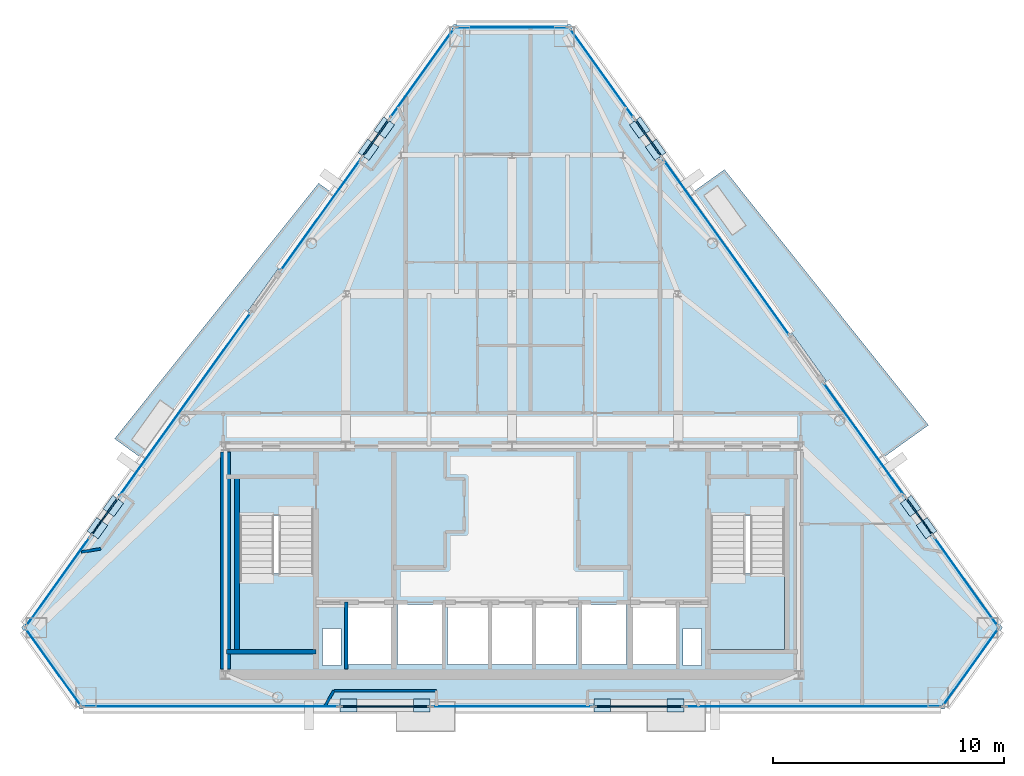
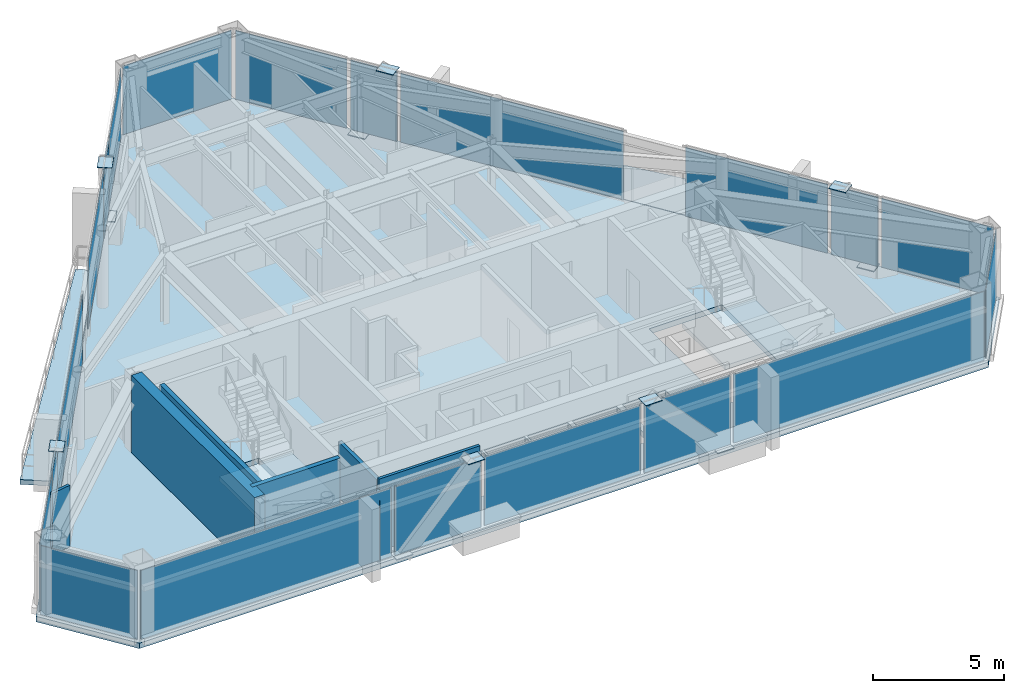
# One storey, part 7 of 12: 32 plates, 7 walls, 5 slabs, 22 elements without a shape of their own.
"""IFC4 building model written with IfcOpenShell, lengths in metres."""

from ifc_helpers import new_model, si_unit, direction, frame, frame_2d, origin, origin_2d, place, context, subcontext, project, spatial, polyline, rectangle, outline, extrude, source, transform, mapped, material, layer, layer_set, type_object, type_shapes, element, aggregate, save


model = new_model("IFC4")

# Units and contexts
model_context = context("Model", 3, precision=1e-05, world=origin(), true_north=direction((0.0, 1.0)))
body_context = subcontext(model_context, "Body", "Model", "MODEL_VIEW")
ifc_project = project(units=[si_unit("LENGTHUNIT", "METRE"), si_unit("AREAUNIT", "SQUARE_METRE"), si_unit("VOLUMEUNIT", "CUBIC_METRE"), si_unit("PLANEANGLEUNIT", "RADIAN"), si_unit("MASSUNIT", "GRAM", prefix="KILO")], contexts=[model_context])

# Site, building, storey
site_placement = place(None, origin())
site = spatial("IfcSite", under=ifc_project, at=site_placement, CompositionType="ELEMENT")
building_placement = place(site_placement, origin())
building = spatial("IfcBuilding", under=site, at=building_placement, Name="Talgorran Terracotta Tower", CompositionType="ELEMENT")
storey_placement = place(building_placement, frame((0.0, 0.0, 256.199951171875)))
storey = spatial("IfcBuildingStorey", under=building, at=storey_placement, Name="L67", CompositionType="ELEMENT", Elevation=256.199951171875)

# Plates
ifc_material_1 = material(Name="Steel Grade 350 (350L0)", Category="steel")
ifc_layer_1 = layer(ifc_material_1, 0.031982421875, Name="PL_CAP_MN07")
ifc_layer_set_1 = layer_set([ifc_layer_1], Name="Steel Grade 350 (350L0)")
plate_type_1 = type_object("IfcPlateType", Name="PL_CAP_MN07", PredefinedType="USERDEFINED", material=ifc_layer_set_1)
for number, where, z_axis, x_axis, name in (
    (1, (-7.074462890625, -15.42333984375, -0.005859375), (0.0, 0.0, 1.0), (1.0, 0.0, 0.0), "L67 Diagonal Frame End Cap SWF Bot"),
    (2, (-3.90966796875, -15.42333984375, 3.31884765625), (0.0, 0.0, 1.0), (1.0, 0.0, 0.0), "L67 Diagonal Frame End Cap SWF Top"),
    (3, (7.074462890625, -15.42333984375, -0.005859375), (0.0, 0.0, 1.0), (-1.0, 0.0, 0.0), "L67 Diagonal Frame End Cap SEF Bot"),
    (4, (3.90966796875, -15.42333984375, 3.31884765625), (0.0, 0.0, 1.0), (-1.0, 0.0, 0.0), "L67 Diagonal Frame End Cap SEF Top"),
    (5, (17.94287109375, -7.748291015625, -0.005859375), (0.0, 0.0, 1.0), (-0.582264874145, 0.812999149039, 0.0), "L67 Diagonal Frame End Cap NEL Bot"),
    (6, (17.255126953125, -6.7880859375, 3.31884765625), (0.0, 0.0, 1.0), (-0.582264874145, 0.812999149039, 0.0), "L67 Diagonal Frame End Cap NEL Top"),
    (7, (5.5283203125, 9.58837890625, -0.005859375), (0.0, 0.0, 1.0), (0.582264874145, -0.812999149039, 0.0), "L67 Diagonal Frame End Cap NEU Bot"),
    (8, (6.2158203125, 8.628173828125, 3.31884765625), (0.0, 0.0, 1.0), (0.582264874145, -0.812999149039, 0.0), "L67 Diagonal Frame End Cap NEU Top"),
    (9, (-5.5283203125, 9.58837890625, -0.005859375), (0.0, 0.0, 1.0), (-0.582264874145, -0.812999149039, 0.0), "L67 Diagonal Frame End Cap NWU Bot"),
    (10, (-6.2158203125, 8.628173828125, 3.31884765625), (0.0, 0.0, 1.0), (-0.582264874145, -0.812999149039, 0.0), "L67 Diagonal Frame End Cap NWU Top"),
    (11, (-17.94287109375, -7.748291015625, -0.005859375), (0.0, 0.0, 1.0), (0.582264874145, 0.812999149039, 0.0), "L67 Diagonal Frame End Cap NWL Bot"),
    (12, (-17.255126953125, -6.7880859375, 3.31884765625), (0.0, 0.0, 1.0), (0.582264874145, 0.812999149039, 0.0), "L67 Diagonal Frame End Cap NWL Top"),
):
    element("IfcPlate", number, at=place(storey_placement, frame(where, z_axis=z_axis, x_axis=x_axis)), inside=storey, type_object=plate_type_1, Name=name, ObjectType="CAP PLATE", PredefinedType="USERDEFINED", context=body_context, shape_type="SweptSolid", body=[
        extrude(rectangle(XDim=0.719970703125, YDim=0.580078125, at=origin_2d()), origin(), (0.0, 0.0, 1.0), 0.031982421875),
    ])

# Slabs
ifc_material_2 = material(Name="Concrete C40/50", Category="concrete")
ifc_layer_2 = layer(ifc_material_2, 0.219970703125, Name="SL_BALCONY_220")
ifc_layer_set_2 = layer_set([ifc_layer_2], Name="Concrete C40/50")
slab_type_1 = type_object("IfcSlabType", Name="SL_BALCONY_220", PredefinedType="FLOOR", material=ifc_layer_set_2)
slab_1_placement = place(storey_placement, frame((0.0, 0.0, -0.219970703125)))
element("IfcSlab", 13, at=slab_1_placement, inside=storey, type_object=slab_type_1, Name="L67 Outdoor Wave Balcony BAL-NE", PredefinedType="FLOOR", context=body_context, shape_type="SweptSolid", body=[
    extrude(outline(polyline([(7.773193359375, 6.753662109375), (16.001220703125, -4.736083984375), (18.0224609375, -3.288818359375), (9.192626953125, 7.77001953125), (7.773193359375, 6.753662109375)])), origin(), (0.0, 0.0, 1.0), 0.219970703125),
])
slab_2_placement = place(storey_placement, frame((0.0, 0.0, -0.219970703125)))
element("IfcSlab", 14, at=slab_2_placement, inside=storey, type_object=slab_type_1, Name="L67 Outdoor Wave Balcony BAL-NW", PredefinedType="FLOOR", context=body_context, shape_type="SweptSolid", body=[
    extrude(outline(polyline([(-16.001220703125, -4.736083984375), (-7.773193359375, 6.753662109375), (-8.369873046875, 7.180908203125), (-17.19970703125, -3.8779296875), (-16.001220703125, -4.736083984375)])), origin(), (0.0, 0.0, 1.0), 0.219970703125),
])

# Stair, slab
stair_type = type_object("IfcStairType", Name="ST_FIRE_SCISSOR", PredefinedType="HALF_TURN_STAIR", material=ifc_material_2)
stair_1_placement = place(storey_placement, origin())
stair_1 = element("IfcStair", 15, at=stair_1_placement, inside=storey, type_object=stair_type, Name="L67 West Protected Fire Stair ST-01", PredefinedType="HALF_TURN_STAIR")
ifc_layer_3 = layer(ifc_material_2, 0.199951171875, Name="SL_LANDING_200")
ifc_layer_set_3 = layer_set([ifc_layer_3], Name="Concrete C40/50")
slab_type_2 = type_object("IfcSlabType", Name="SL_LANDING_200", PredefinedType="LANDING", material=ifc_layer_set_3)
slab_3_placement = place(storey_placement, frame((0.0, 0.0, 1.60009765625)))
slab_3 = element("IfcSlab", 16, at=slab_3_placement, type_object=slab_type_2, Name="ST-01 landing 1", PredefinedType="LANDING", context=body_context, shape_type="SweptSolid", body=[
    extrude(outline(polyline([(-11.800048828125, -9.719970703125), (-11.800048828125, -13.0), (-8.60009765625, -13.0), (-8.60009765625, -9.719970703125), (-11.800048828125, -9.719970703125)])), origin(), (0.0, 0.0, 1.0), 0.199951171875),
])
aggregate(stair_1, [slab_3])

stair_2_placement = place(storey_placement, origin())
stair_2 = element("IfcStair", 17, at=stair_2_placement, inside=storey, type_object=stair_type, Name="L67 East Protected Fire Stair ST-02", PredefinedType="HALF_TURN_STAIR")
slab_4_placement = place(storey_placement, frame((0.0, 0.0, 1.60009765625)))
slab_4 = element("IfcSlab", 18, at=slab_4_placement, type_object=slab_type_2, Name="ST-02 landing 1", PredefinedType="LANDING", context=body_context, shape_type="SweptSolid", body=[
    extrude(outline(polyline([(8.60009765625, -9.719970703125), (8.60009765625, -13.0), (11.800048828125, -13.0), (11.800048828125, -9.719970703125), (8.60009765625, -9.719970703125)])), origin(), (0.0, 0.0, 1.0), 0.199951171875),
])
aggregate(stair_2, [slab_4])

# Slab
ifc_layer_4 = layer(ifc_material_2, 0.2548828125, Name="SL_TOWER_235")
ifc_layer_set_4 = layer_set([ifc_layer_4], Name="Concrete C40/50")
slab_type_3 = type_object("IfcSlabType", Name="SL_TOWER_235", PredefinedType="FLOOR", material=ifc_layer_set_4)
slab_5_placement = place(storey_placement, frame((0.0, 0.0, -0.2548828125)))
element("IfcSlab", 19, at=slab_5_placement, inside=storey, type_object=slab_type_3, Name="Storey L67 Structural Floor Slab", PredefinedType="FLOOR", context=body_context, shape_type="SweptSolid", body=[
    extrude(outline(polyline([(-21.224609375, -12.056640625), (-18.69921875, -15.583251953125), (18.69921875, -15.583251953125), (21.224609375, -12.056640625), (2.525390625, 14.056640625), (-2.525390625, 14.056640625), (-21.224609375, -12.056640625)]), holes=[polyline([(-11.800048828125, -7.199951171875), (-11.800048828125, -13.0), (-8.60009765625, -13.0), (-8.60009765625, -7.199951171875), (-11.800048828125, -7.199951171875)]), polyline([(8.60009765625, -7.199951171875), (8.60009765625, -13.0), (11.800048828125, -13.0), (11.800048828125, -7.199951171875), (8.60009765625, -7.199951171875)]), polyline([(-7.10009765625, -13.64990234375), (-5.199951171875, -13.64990234375), (-5.199951171875, -11.050048828125), (-7.10009765625, -11.050048828125), (-7.10009765625, -13.64990234375)]), polyline([(5.199951171875, -13.64990234375), (7.10009765625, -13.64990234375), (7.10009765625, -11.050048828125), (5.199951171875, -11.050048828125), (5.199951171875, -13.64990234375)]), polyline([(3.0, -13.64990234375), (4.949951171875, -13.64990234375), (4.949951171875, -11.050048828125), (3.0, -11.050048828125), (3.0, -13.64990234375)]), polyline([(-4.949951171875, -13.64990234375), (-3.0, -13.64990234375), (-3.0, -11.050048828125), (-4.949951171875, -11.050048828125), (-4.949951171875, -13.64990234375)]), polyline([(-2.800048828125, -13.64990234375), (-1.0, -13.64990234375), (-1.0, -11.050048828125), (-2.800048828125, -11.050048828125), (-2.800048828125, -13.64990234375)]), polyline([(-0.89990234375, -13.64990234375), (0.89990234375, -13.64990234375), (0.89990234375, -11.050048828125), (-0.89990234375, -11.050048828125), (-0.89990234375, -13.64990234375)]), polyline([(1.0, -13.64990234375), (2.800048828125, -13.64990234375), (2.800048828125, -11.050048828125), (1.0, -11.050048828125), (1.0, -13.64990234375)]), polyline([(-8.199951171875, -13.699951171875), (-7.39990234375, -13.699951171875), (-7.39990234375, -12.10009765625), (-8.199951171875, -12.10009765625), (-8.199951171875, -13.699951171875)]), polyline([(7.39990234375, -13.699951171875), (8.199951171875, -13.699951171875), (8.199951171875, -12.10009765625), (7.39990234375, -12.10009765625), (7.39990234375, -13.699951171875)])]), origin(), (0.0, 0.0, 1.0), 0.2548828125),
])

# Curtain wall, plate
ifc_material_3 = material(Name="High-Wind Unitised Glazing", Category="glass")
ifc_layer_5 = layer(ifc_material_3, 0.2099609375, Name="CW_SYS3_RES_HIGH")
ifc_layer_set_5 = layer_set([ifc_layer_5], Name="High-Wind Unitised Glazing")
curtain_wall_type = type_object("IfcCurtainWallType", Name="CW_SYS3_RES_HIGH", PredefinedType="NOTDEFINED", material=ifc_layer_set_5)
curtain_wall_1_placement = place(storey_placement, origin())
curtain_wall_1 = element("IfcCurtainWall", 20, at=curtain_wall_1_placement, inside=storey, type_object=curtain_wall_type, Name="CW-L67-F0", PredefinedType="NOTDEFINED")
ifc_material_4 = material(Name="High-Wind Acoustic Vision Glass", Category="glass")
ifc_layer_6 = layer(ifc_material_4, 0.031982421875, Name="PLT_VISION_32")
ifc_layer_set_6 = layer_set([ifc_layer_6], Name="High-Wind Acoustic Vision Glass")
plate_type_2 = type_object("IfcPlateType", Name="PLT_VISION_32", PredefinedType="CURTAIN_PANEL", material=ifc_layer_set_6)
shared_shape_1 = source(origin(), body_context, "Body", "SweptSolid", [
    extrude(rectangle(XDim=4.050048828125, YDim=0.031982421875, at=origin_2d()), origin(), (0.0, 0.0, 1.0), 3.205078125),
])
plate_1_placement = place(storey_placement, frame((-19.857421875, -13.760009765625, 0.070068359375), z_axis=(0.0, 0.0, 1.0), x_axis=(0.582219838862, -0.813031401137, 0.0)))
plate_1 = element("IfcPlate", 21, at=plate_1_placement, type_object=plate_type_2, Name="CW-L67-0 panel 1.1", PredefinedType="CURTAIN_PANEL", context=body_context, shape_type="MappedRepresentation", body=[
    mapped(shared_shape_1, transform((0.0, 0.0, 0.0), scale=1.0)),
])
aggregate(curtain_wall_1, [plate_1])

curtain_wall_2_placement = place(storey_placement, origin())
curtain_wall_2 = element("IfcCurtainWall", 22, at=curtain_wall_2_placement, inside=storey, type_object=curtain_wall_type, Name="CW-L67-F2", PredefinedType="NOTDEFINED")
plate_2_placement = place(storey_placement, frame((19.857421875, -13.760009765625, 0.070068359375), z_axis=(0.0, 0.0, 1.0), x_axis=(0.582219838862, 0.813031401137, 0.0)))
plate_2 = element("IfcPlate", 23, at=plate_2_placement, type_object=plate_type_2, Name="CW-L67-2 panel 1.1", PredefinedType="CURTAIN_PANEL", context=body_context, shape_type="MappedRepresentation", body=[
    mapped(shared_shape_1, transform((0.0, 0.0, 0.0), scale=1.0)),
])
aggregate(curtain_wall_2, [plate_2])

curtain_wall_3_placement = place(storey_placement, origin())
curtain_wall_3 = element("IfcCurtainWall", 24, at=curtain_wall_3_placement, inside=storey, type_object=curtain_wall_type, Name="CW-L67-F4", PredefinedType="NOTDEFINED")
shared_shape_2 = source(origin(), body_context, "Body", "SweptSolid", [
    extrude(rectangle(XDim=4.787109375, YDim=0.031982421875, at=origin_2d()), origin(), (0.0, 0.0, 1.0), 3.205078125),
])
plate_3_placement = place(storey_placement, frame((0.0, 13.936767578125, 0.070068359375), z_axis=(0.0, 0.0, 1.0), x_axis=(-1.0, 0.0, 0.0)))
plate_3 = element("IfcPlate", 25, at=plate_3_placement, type_object=plate_type_2, Name="CW-L67-4 panel 1.1", PredefinedType="CURTAIN_PANEL", context=body_context, shape_type="MappedRepresentation", body=[
    mapped(shared_shape_2, transform((0.0, 0.0, 0.0), scale=1.0)),
])
aggregate(curtain_wall_3, [plate_3])

curtain_wall_4_placement = place(storey_placement, origin())
curtain_wall_4 = element("IfcCurtainWall", 26, at=curtain_wall_4_placement, inside=storey, type_object=curtain_wall_type, Name="CW-L67-F1", PredefinedType="NOTDEFINED")
shared_shape_3 = source(origin(), body_context, "Body", "SweptSolid", [
    extrude(rectangle(XDim=11.026611328125, YDim=0.031982421875, at=origin_2d()), origin(), (0.0, 0.0, 1.0), 3.205078125),
])
plate_4_placement = place(storey_placement, frame((-13.05419921875, -15.46337890625, 0.070068359375), z_axis=(0.0, 0.0, 1.0), x_axis=(1.0, 0.0, 0.0)))
plate_4 = element("IfcPlate", 27, at=plate_4_placement, type_object=plate_type_2, Name="CW-L67-1 panel 1.1", PredefinedType="CURTAIN_PANEL", context=body_context, shape_type="MappedRepresentation", body=[
    mapped(shared_shape_3, transform((0.0, 0.0, 0.0), scale=1.0)),
])
aggregate(curtain_wall_4, [plate_4])

curtain_wall_5_placement = place(storey_placement, origin())
curtain_wall_5 = element("IfcCurtainWall", 28, at=curtain_wall_5_placement, inside=storey, type_object=curtain_wall_type, Name="CW-L67-F1E", PredefinedType="NOTDEFINED")
plate_5_placement = place(storey_placement, frame((13.05419921875, -15.46337890625, 0.070068359375), z_axis=(0.0, 0.0, 1.0), x_axis=(1.0, 0.0, 0.0)))
plate_5 = element("IfcPlate", 29, at=plate_5_placement, type_object=plate_type_2, Name="CW-L67-1E panel 1.1", PredefinedType="CURTAIN_PANEL", context=body_context, shape_type="MappedRepresentation", body=[
    mapped(shared_shape_3, transform((0.0, 0.0, 0.0), scale=1.0)),
])
aggregate(curtain_wall_5, [plate_5])

curtain_wall_6_placement = place(storey_placement, origin())
curtain_wall_6 = element("IfcCurtainWall", 30, at=curtain_wall_6_placement, inside=storey, type_object=curtain_wall_type, Name="CW-L67-F1B", PredefinedType="NOTDEFINED")
ifc_material_5 = material(Name="Terracotta Insulated Spandrel", Category="masonry")
ifc_layer_7 = layer(ifc_material_5, 0.06494140625, Name="PLT_SPANDREL_TERRA")
ifc_layer_set_7 = layer_set([ifc_layer_7], Name="Terracotta Insulated Spandrel")
plate_type_3 = type_object("IfcPlateType", Name="PLT_SPANDREL_TERRA", PredefinedType="SHEET", material=ifc_layer_set_7)
shared_shape_4 = source(origin(), body_context, "Body", "SweptSolid", [
    extrude(rectangle(XDim=3.797607421875, YDim=0.06494140625, at=origin_2d()), origin(), (0.0, 0.0, 1.0), 3.205078125),
])
plate_6_placement = place(storey_placement, frame((-5.491943359375, -15.46337890625, 0.070068359375), z_axis=(0.0, 0.0, 1.0), x_axis=(1.0, 0.0, 0.0)))
plate_6 = element("IfcPlate", 31, at=plate_6_placement, type_object=plate_type_3, Name="CW-L67-1B panel 1.1", PredefinedType="CURTAIN_PANEL", context=body_context, shape_type="MappedRepresentation", body=[
    mapped(shared_shape_4, transform((0.0, 0.0, 0.0), scale=1.0)),
])
aggregate(curtain_wall_6, [plate_6])

curtain_wall_7_placement = place(storey_placement, origin())
curtain_wall_7 = element("IfcCurtainWall", 32, at=curtain_wall_7_placement, inside=storey, type_object=curtain_wall_type, Name="CW-L67-F1D", PredefinedType="NOTDEFINED")
plate_7_placement = place(storey_placement, frame((5.491943359375, -15.46337890625, 0.070068359375), z_axis=(0.0, 0.0, 1.0), x_axis=(1.0, 0.0, 0.0)))
plate_7 = element("IfcPlate", 33, at=plate_7_placement, type_object=plate_type_3, Name="CW-L67-1D panel 1.1", PredefinedType="CURTAIN_PANEL", context=body_context, shape_type="MappedRepresentation", body=[
    mapped(shared_shape_4, transform((0.0, 0.0, 0.0), scale=1.0)),
])
aggregate(curtain_wall_7, [plate_7])

curtain_wall_8_placement = place(storey_placement, origin())
curtain_wall_8 = element("IfcCurtainWall", 34, at=curtain_wall_8_placement, inside=storey, type_object=curtain_wall_type, Name="CW-L67-F1C", PredefinedType="NOTDEFINED")
shared_shape_5 = source(origin(), body_context, "Body", "SweptSolid", [
    extrude(rectangle(XDim=6.886474609375, YDim=0.031982421875, at=origin_2d()), origin(), (0.0, 0.0, 1.0), 3.205078125),
])
plate_8_placement = place(storey_placement, frame((0.0, -15.46337890625, 0.070068359375), z_axis=(0.0, 0.0, 1.0), x_axis=(1.0, 0.0, 0.0)))
plate_8 = element("IfcPlate", 35, at=plate_8_placement, type_object=plate_type_2, Name="CW-L67-1C panel 1.1", PredefinedType="CURTAIN_PANEL", context=body_context, shape_type="MappedRepresentation", body=[
    mapped(shared_shape_5, transform((0.0, 0.0, 0.0), scale=1.0)),
])
aggregate(curtain_wall_8, [plate_8])

curtain_wall_9_placement = place(storey_placement, origin())
curtain_wall_9 = element("IfcCurtainWall", 36, at=curtain_wall_9_placement, inside=storey, type_object=curtain_wall_type, Name="CW-L67-F40", PredefinedType="NOTDEFINED")
shared_shape_6 = source(origin(), body_context, "Body", "SweptSolid", [
    extrude(rectangle(XDim=4.680908203125, YDim=0.031982421875, at=origin_2d()), origin(), (0.0, 0.0, 1.0), 3.205078125),
])
plate_9_placement = place(storey_placement, frame((19.650390625, -10.064453125, 0.070068359375), z_axis=(0.0, 0.0, 1.0), x_axis=(-0.582211011267, 0.813037722593, 0.0)))
plate_9 = element("IfcPlate", 37, at=plate_9_placement, type_object=plate_type_2, Name="CW-L67-40 panel 1.1", PredefinedType="CURTAIN_PANEL", context=body_context, shape_type="MappedRepresentation", body=[
    mapped(shared_shape_6, transform((0.0, 0.0, 0.0), scale=1.0)),
])
aggregate(curtain_wall_9, [plate_9])

curtain_wall_10_placement = place(storey_placement, origin())
curtain_wall_10 = element("IfcCurtainWall", 38, at=curtain_wall_10_placement, inside=storey, type_object=curtain_wall_type, Name="CW-L67-F61C", PredefinedType="NOTDEFINED")
plate_10_placement = place(storey_placement, frame((-19.650390625, -10.064453125, 0.070068359375), z_axis=(0.0, 0.0, 1.0), x_axis=(-0.582211011267, -0.813037722593, 0.0)))
plate_10 = element("IfcPlate", 39, at=plate_10_placement, type_object=plate_type_2, Name="CW-L67-61C panel 1.1", PredefinedType="CURTAIN_PANEL", context=body_context, shape_type="MappedRepresentation", body=[
    mapped(shared_shape_6, transform((0.0, 0.0, 0.0), scale=1.0)),
])
aggregate(curtain_wall_10, [plate_10])

curtain_wall_11_placement = place(storey_placement, origin())
curtain_wall_11 = element("IfcCurtainWall", 40, at=curtain_wall_11_placement, inside=storey, type_object=curtain_wall_type, Name="CW-L67-F40B", PredefinedType="NOTDEFINED")
shared_shape_7 = source(origin(), body_context, "Body", "SweptSolid", [
    extrude(rectangle(XDim=1.954345703125, YDim=0.06494140625, at=origin_2d()), origin(), (0.0, 0.0, 1.0), 3.205078125),
])
type_shapes(plate_type_3, [shared_shape_4, shared_shape_7])
plate_11_placement = place(storey_placement, frame((17.631591796875, -7.2451171875, 0.070068359375), z_axis=(0.0, 0.0, 1.0), x_axis=(-0.582222381125, 0.813029580592, 0.0)))
plate_11 = element("IfcPlate", 41, at=plate_11_placement, type_object=plate_type_3, Name="CW-L67-40B panel 1.1", PredefinedType="CURTAIN_PANEL", context=body_context, shape_type="MappedRepresentation", body=[
    mapped(shared_shape_7, transform((0.0, 0.0, 0.0), scale=1.0)),
])
aggregate(curtain_wall_11, [plate_11])

curtain_wall_12_placement = place(storey_placement, origin())
curtain_wall_12 = element("IfcCurtainWall", 42, at=curtain_wall_12_placement, inside=storey, type_object=curtain_wall_type, Name="CW-L67-F41B", PredefinedType="NOTDEFINED")
plate_12_placement = place(storey_placement, frame((5.904541015625, 9.131591796875, 0.070068359375), z_axis=(0.0, 0.0, 1.0), x_axis=(-0.582222381125, 0.813029580592, 0.0)))
plate_12 = element("IfcPlate", 43, at=plate_12_placement, type_object=plate_type_3, Name="CW-L67-41B panel 1.1", PredefinedType="CURTAIN_PANEL", context=body_context, shape_type="MappedRepresentation", body=[
    mapped(shared_shape_7, transform((0.0, 0.0, 0.0), scale=1.0)),
])
aggregate(curtain_wall_12, [plate_12])

curtain_wall_13_placement = place(storey_placement, origin())
curtain_wall_13 = element("IfcCurtainWall", 44, at=curtain_wall_13_placement, inside=storey, type_object=curtain_wall_type, Name="CW-L67-F60B", PredefinedType="NOTDEFINED")
plate_13_placement = place(storey_placement, frame((-5.904541015625, 9.131591796875, 0.070068359375), z_axis=(0.0, 0.0, 1.0), x_axis=(-0.582222381125, -0.813029580592, 0.0)))
plate_13 = element("IfcPlate", 45, at=plate_13_placement, type_object=plate_type_3, Name="CW-L67-60B panel 1.1", PredefinedType="CURTAIN_PANEL", context=body_context, shape_type="MappedRepresentation", body=[
    mapped(shared_shape_7, transform((0.0, 0.0, 0.0), scale=1.0)),
])
aggregate(curtain_wall_13, [plate_13])

curtain_wall_14_placement = place(storey_placement, origin())
curtain_wall_14 = element("IfcCurtainWall", 46, at=curtain_wall_14_placement, inside=storey, type_object=curtain_wall_type, Name="CW-L67-F61B", PredefinedType="NOTDEFINED")
plate_14_placement = place(storey_placement, frame((-17.631591796875, -7.2451171875, 0.070068359375), z_axis=(0.0, 0.0, 1.0), x_axis=(-0.582222381125, -0.813029580592, 0.0)))
plate_14 = element("IfcPlate", 47, at=plate_14_placement, type_object=plate_type_3, Name="CW-L67-61B panel 1.1", PredefinedType="CURTAIN_PANEL", context=body_context, shape_type="MappedRepresentation", body=[
    mapped(shared_shape_7, transform((0.0, 0.0, 0.0), scale=1.0)),
])
aggregate(curtain_wall_14, [plate_14])

curtain_wall_15_placement = place(storey_placement, origin())
curtain_wall_15 = element("IfcCurtainWall", 48, at=curtain_wall_15_placement, inside=storey, type_object=curtain_wall_type, Name="CW-L67-F40C", PredefinedType="NOTDEFINED")
shared_shape_8 = source(origin(), body_context, "Body", "SweptSolid", [
    extrude(rectangle(XDim=5.960693359375, YDim=0.031982421875, at=origin_2d()), origin(), (0.0, 0.0, 1.0), 3.205078125),
])
plate_15_placement = place(storey_placement, frame((15.239990234375, -3.905517578125, 0.070068359375), z_axis=(0.0, 0.0, 1.0), x_axis=(-0.582200688882, 0.813045114286, 0.0)))
plate_15 = element("IfcPlate", 49, at=plate_15_placement, type_object=plate_type_2, Name="CW-L67-40C panel 1.1", PredefinedType="CURTAIN_PANEL", context=body_context, shape_type="MappedRepresentation", body=[
    mapped(shared_shape_8, transform((0.0, 0.0, 0.0), scale=1.0)),
])
aggregate(curtain_wall_15, [plate_15])

curtain_wall_16_placement = place(storey_placement, origin())
curtain_wall_16 = element("IfcCurtainWall", 50, at=curtain_wall_16_placement, inside=storey, type_object=curtain_wall_type, Name="CW-L67-F41", PredefinedType="NOTDEFINED")
shared_shape_9 = source(origin(), body_context, "Body", "SweptSolid", [
    extrude(rectangle(XDim=9.327392578125, YDim=0.031982421875, at=origin_2d()), origin(), (0.0, 0.0, 1.0), 3.205078125),
])
plate_16_placement = place(storey_placement, frame((9.27587890625, 4.42333984375, 0.070068359375), z_axis=(0.0, 0.0, 1.0), x_axis=(-0.58220498309, 0.813042039297, 0.0)))
plate_16 = element("IfcPlate", 51, at=plate_16_placement, type_object=plate_type_2, Name="CW-L67-41 panel 1.1", PredefinedType="CURTAIN_PANEL", context=body_context, shape_type="MappedRepresentation", body=[
    mapped(shared_shape_9, transform((0.0, 0.0, 0.0), scale=1.0)),
])
aggregate(curtain_wall_16, [plate_16])

curtain_wall_17_placement = place(storey_placement, origin())
curtain_wall_17 = element("IfcCurtainWall", 52, at=curtain_wall_17_placement, inside=storey, type_object=curtain_wall_type, Name="CW-L67-F41C", PredefinedType="NOTDEFINED")
shared_shape_10 = source(origin(), body_context, "Body", "SweptSolid", [
    extrude(rectangle(XDim=4.6728515625, YDim=0.031982421875, at=origin_2d()), origin(), (0.0, 0.0, 1.0), 3.205078125),
])
plate_17_placement = place(storey_placement, frame((3.887939453125, 11.94775390625, 0.070068359375), z_axis=(0.0, 0.0, 1.0), x_axis=(-0.582204776821, 0.813042187003, 0.0)))
plate_17 = element("IfcPlate", 53, at=plate_17_placement, type_object=plate_type_2, Name="CW-L67-41C panel 1.1", PredefinedType="CURTAIN_PANEL", context=body_context, shape_type="MappedRepresentation", body=[
    mapped(shared_shape_10, transform((0.0, 0.0, 0.0), scale=1.0)),
])
aggregate(curtain_wall_17, [plate_17])

curtain_wall_18_placement = place(storey_placement, origin())
curtain_wall_18 = element("IfcCurtainWall", 54, at=curtain_wall_18_placement, inside=storey, type_object=curtain_wall_type, Name="CW-L67-F60", PredefinedType="NOTDEFINED")
plate_18_placement = place(storey_placement, frame((-3.887939453125, 11.94775390625, 0.070068359375), z_axis=(0.0, 0.0, 1.0), x_axis=(-0.582204776821, -0.813042187003, 0.0)))
plate_18 = element("IfcPlate", 55, at=plate_18_placement, type_object=plate_type_2, Name="CW-L67-60 panel 1.1", PredefinedType="CURTAIN_PANEL", context=body_context, shape_type="MappedRepresentation", body=[
    mapped(shared_shape_10, transform((0.0, 0.0, 0.0), scale=1.0)),
])
aggregate(curtain_wall_18, [plate_18])

curtain_wall_19_placement = place(storey_placement, origin())
curtain_wall_19 = element("IfcCurtainWall", 56, at=curtain_wall_19_placement, inside=storey, type_object=curtain_wall_type, Name="CW-L67-F60C", PredefinedType="NOTDEFINED")
shared_shape_11 = source(origin(), body_context, "Body", "SweptSolid", [
    extrude(rectangle(XDim=5.894775390625, YDim=0.031982421875, at=origin_2d()), origin(), (0.0, 0.0, 1.0), 3.205078125),
])
plate_19_placement = place(storey_placement, frame((-8.27685546875, 5.81884765625, 0.070068359375), z_axis=(0.0, 0.0, 1.0), x_axis=(-0.582209625155, -0.813038715177, 0.0)))
plate_19 = element("IfcPlate", 57, at=plate_19_placement, type_object=plate_type_2, Name="CW-L67-60C panel 1.1", PredefinedType="CURTAIN_PANEL", context=body_context, shape_type="MappedRepresentation", body=[
    mapped(shared_shape_11, transform((0.0, 0.0, 0.0), scale=1.0)),
])
aggregate(curtain_wall_19, [plate_19])

curtain_wall_20_placement = place(storey_placement, origin())
curtain_wall_20 = element("IfcCurtainWall", 58, at=curtain_wall_20_placement, inside=storey, type_object=curtain_wall_type, Name="CW-L67-F61", PredefinedType="NOTDEFINED")
shared_shape_12 = source(origin(), body_context, "Body", "SweptSolid", [
    extrude(rectangle(XDim=9.693359375, YDim=0.031982421875, at=origin_2d()), origin(), (0.0, 0.0, 1.0), 3.205078125),
])
type_shapes(plate_type_2, [shared_shape_1, shared_shape_2, shared_shape_3, shared_shape_5, shared_shape_6, shared_shape_8, shared_shape_9, shared_shape_10, shared_shape_11, shared_shape_12])
plate_20_placement = place(storey_placement, frame((-14.153564453125, -2.387939453125, 0.070068359375), z_axis=(0.0, 0.0, 1.0), x_axis=(-0.582204574283, -0.813042332037, 0.0)))
plate_20 = element("IfcPlate", 59, at=plate_20_placement, type_object=plate_type_2, Name="CW-L67-61 panel 1.1", PredefinedType="CURTAIN_PANEL", context=body_context, shape_type="MappedRepresentation", body=[
    mapped(shared_shape_12, transform((0.0, 0.0, 0.0), scale=1.0)),
])
aggregate(curtain_wall_20, [plate_20])

# Walls
ifc_material_6 = material(Name="Concrete C50/60", Category="concrete")
ifc_layer_8 = layer(ifc_material_6, 0.199951171875, Name="WT_CORE_200")
ifc_layer_set_8 = layer_set([ifc_layer_8], Name="Concrete C50/60")
wall_type_1 = type_object("IfcWallType", Name="WT_CORE_200", PredefinedType="SOLIDWALL", material=ifc_layer_set_8)
wall_1_placement = place(storey_placement, frame((-12.35009765625, -13.10009765625, 0.0), z_axis=(0.0, 0.0, 1.0), x_axis=(1.0, 0.0, 0.0)))
element("IfcWall", 60, at=wall_1_placement, inside=storey, type_object=wall_type_1, Name="WL-L67-CW-ST1-S", PredefinedType="SOLIDWALL", context=body_context, shape_type="SweptSolid", body=[
    extrude(rectangle(XDim=3.8701171875, YDim=0.199951171875, at=frame_2d((1.93505859375, 0.0))), origin(), (0.0, 0.0, 1.0), 3.60009765625),
])
wall_2_placement = place(storey_placement, frame((-11.89990234375, -13.10009765625, 0.0), z_axis=(0.0, 0.0, 1.0), x_axis=(0.0, 1.0, 0.0)))
element("IfcWall", 61, at=wall_2_placement, inside=storey, type_object=wall_type_1, Name="WL-L67-CW-ST1-W", PredefinedType="SOLIDWALL", context=body_context, shape_type="SweptSolid", body=[
    extrude(rectangle(XDim=7.580078125, YDim=0.199951171875, at=frame_2d((3.7900390625, 0.0))), origin(), (0.0, 0.0, 1.0), 3.60009765625),
])
ifc_material_7 = material(Name="Concrete C65/80", Category="concrete")
ifc_layer_9 = layer(ifc_material_7, 0.449951171875, Name="WT_CORE_EXT")
ifc_layer_set_9 = layer_set([ifc_layer_9], Name="Concrete C65/80")
wall_type_2 = type_object("IfcWallType", Name="WT_CORE_EXT", PredefinedType="SHEAR", material=ifc_layer_set_9)
wall_3_placement = place(storey_placement, frame((-12.39990234375, -13.85009765625, 0.0), z_axis=(0.0, 0.0, 1.0), x_axis=(0.0, 1.0, 0.0)))
element("IfcWall", 62, at=wall_3_placement, inside=storey, type_object=wall_type_2, Name="WL-L67-CW-OUT-W", PredefinedType="SHEAR", context=body_context, shape_type="SweptSolid", body=[
    extrude(rectangle(XDim=9.400146484375, YDim=0.449951171875, at=frame_2d((4.7001953125, 0.0))), origin(), (0.0, 0.0, 1.0), 3.60009765625),
])
ifc_material_8 = material(Name="Insulated Steel Stud Plasterboard", Category="steel")
ifc_layer_10 = layer(ifc_material_8, 0.1201171875, Name="WT_PART_120")
ifc_layer_set_10 = layer_set([ifc_layer_10], Name="Insulated Steel Stud Plasterboard")
wall_type_3 = type_object("IfcWallType", Name="WT_PART_120", PredefinedType="PARTITIONING", material=ifc_layer_set_10)
wall_4_placement = place(storey_placement, frame((-7.714599609375, -14.783203125, 0.0), z_axis=(0.0, 0.0, 1.0), x_axis=(1.0, 0.0, 0.0)))
element("IfcWall", 63, at=wall_4_placement, inside=storey, type_object=wall_type_3, Name="WL-L67-BW-L67-01", PredefinedType="PARTITIONING", context=body_context, shape_type="SweptSolid", body=[
    extrude(rectangle(XDim=4.445068359375, YDim=0.1201171875, at=frame_2d((2.22265625, 0.0))), origin(), (0.0, 0.0, 1.0), 3.344970703125),
])
wall_5_placement = place(storey_placement, frame((-17.795166015625, -8.641357421875, 0.0), z_axis=(0.0, 0.0, 1.0), x_axis=(-0.987008329949, -0.160669090402, 0.0)))
element("IfcWall", 64, at=wall_5_placement, inside=storey, type_object=wall_type_3, Name="WL-L67-BW-L67-09", PredefinedType="PARTITIONING", context=body_context, shape_type="SweptSolid", body=[
    extrude(rectangle(XDim=0.849365234375, YDim=0.1201171875, at=frame_2d((0.4248046875, 0.0))), origin(), (0.0, 0.0, 1.0), 2.863037109375),
])
wall_6_placement = place(storey_placement, frame((-8.095458984375, -15.453369140625, 0.0), z_axis=(0.0, 0.0, 1.0), x_axis=(0.494091029217, 0.869410176411, 0.0)))
element("IfcWall", 65, at=wall_6_placement, inside=storey, type_object=wall_type_3, Name="WL-L67-BW-L67-03", PredefinedType="PARTITIONING", context=body_context, shape_type="SweptSolid", body=[
    extrude(rectangle(XDim=0.770751953125, YDim=0.1201171875, at=frame_2d((0.38525390625, 0.0))), origin(), (0.0, 0.0, 1.0), 2.863037109375),
])
ifc_material_9 = material(Name="Fire-Rated Shaftwall")
ifc_layer_11 = layer(ifc_material_9, 0.159912109375, Name="WT_PART_150")
ifc_layer_set_11 = layer_set([ifc_layer_11], Name="Fire-Rated Shaftwall")
wall_type_4 = type_object("IfcWallType", Name="WT_PART_150", PredefinedType="PARTITIONING", material=ifc_layer_set_11)
wall_7_placement = place(storey_placement, frame((-7.179931640625, -13.85009765625, 0.0), z_axis=(0.0, 0.0, 1.0), x_axis=(0.0, 1.0, 0.0)))
element("IfcWall", 66, at=wall_7_placement, inside=storey, type_object=wall_type_4, Name="WL-L67-CW-RSW", PredefinedType="PARTITIONING", context=body_context, shape_type="SweptSolid", body=[
    extrude(rectangle(XDim=2.900146484375, YDim=0.159912109375, at=frame_2d((1.4501953125, 0.0))), origin(), (0.0, 0.0, 1.0), 2.570068359375),
])

save(model, "model.ifc")
